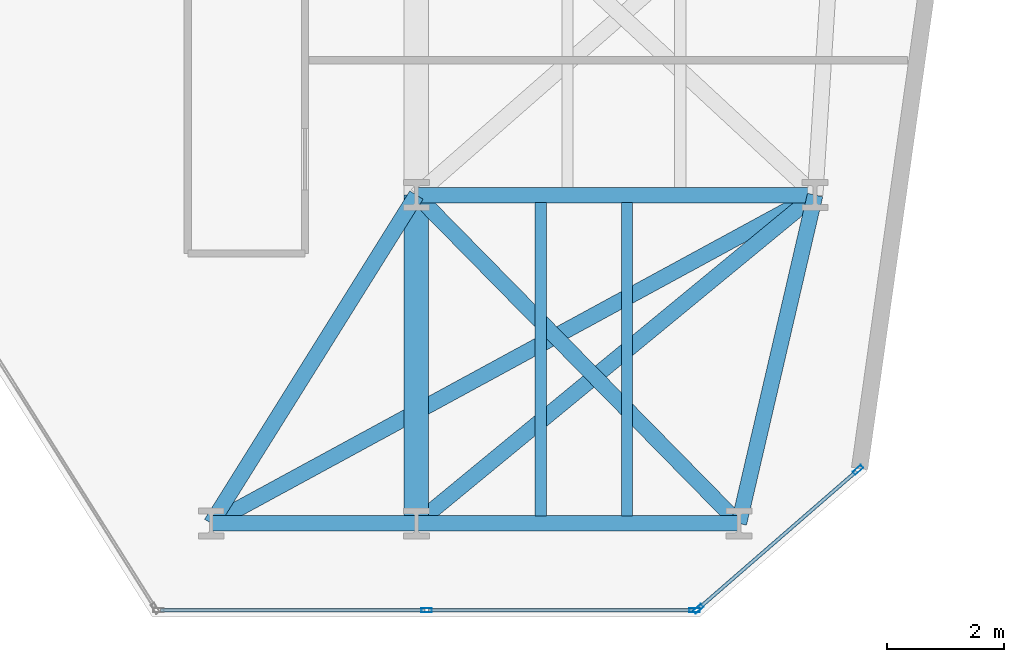
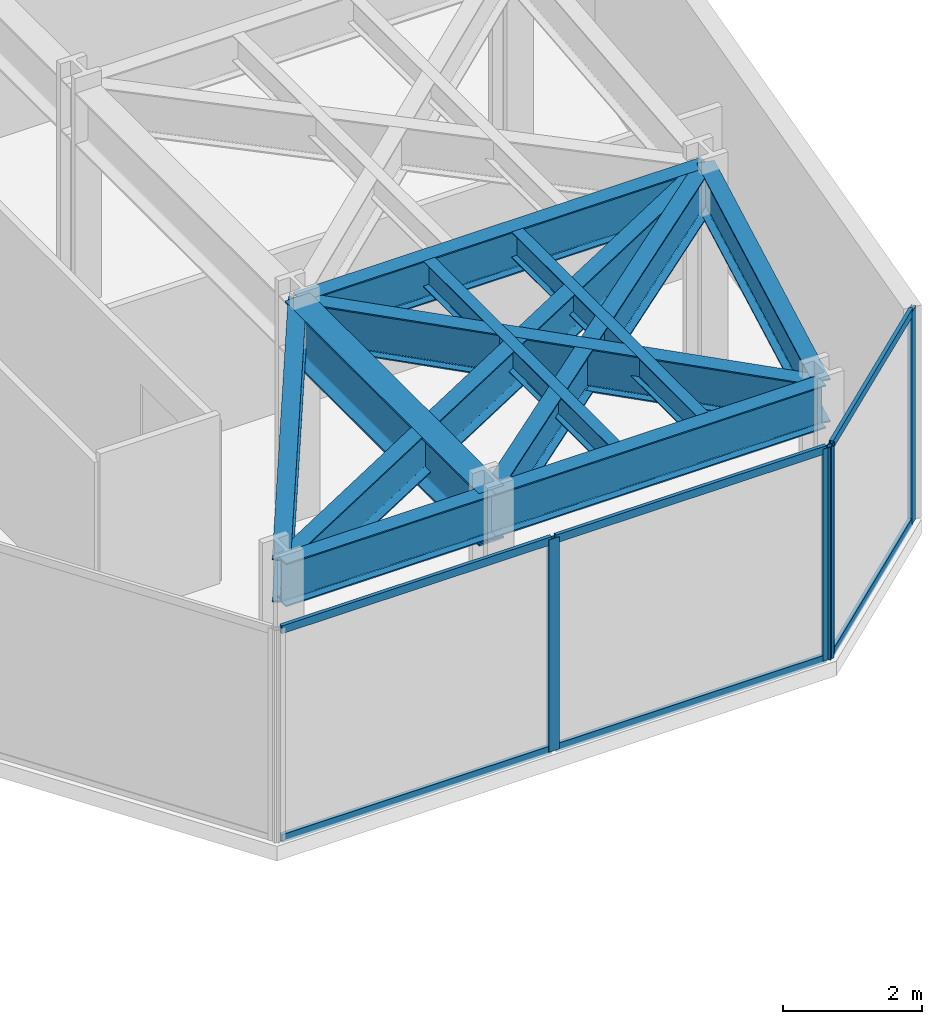
# One storey, part 13 of 24: 11 beams, 10 members, 2 elements without a shape of their own.
"""IFC4 building model written with IfcOpenShell, lengths in metres."""

import ifcopenshell
import ifcopenshell.guid

model = None  # the IFC model being written
_history = None  # IfcOwnerHistory: only IFC2X3 demands one
_inside = {}  # id of a spatial element -> (the spatial element, [elements in it])
_under = {}  # id of a project, library or spatial element -> (it, [spatial elements below it])
_declared = {}  # id of a project -> (the project, [libraries it declares])
_typed = {}  # id of a type object -> (the type object, [elements of that type])
_made_of = {}  # id of a material, layer set ... -> (it, [elements and type objects made of it])


def new_model(schema):
    """Start an empty IFC model of exactly this schema.

    Asked for "IFC4X3", IfcOpenShell would pick the latest addendum, in which some entities
    have other attributes; the version numbers below select the first issue.
    IFC2X3 requires an IfcOwnerHistory on every rooted entity: one is made here for all.
    """
    global model, _history
    if schema == "IFC4X3":
        model = ifcopenshell.file(schema_version=(4, 3, 0, 0))
    else:
        model = ifcopenshell.file(schema=schema)
    _inside.clear()
    _under.clear()
    _declared.clear()
    _typed.clear()
    _made_of.clear()
    _history = None
    if model.schema == "IFC2X3":
        org = make("IfcOrganization", Name="unknown")
        user = make(
            "IfcPersonAndOrganization",
            ThePerson=make("IfcPerson", FamilyName="unknown"),
            TheOrganization=org,
        )
        app = make(
            "IfcApplication",
            ApplicationDeveloper=org,
            Version="unknown",
            ApplicationFullName="unknown",
            ApplicationIdentifier="unknown",
        )
        _history = make(
            "IfcOwnerHistory",
            OwningUser=user,
            OwningApplication=app,
            ChangeAction="ADDED",
            CreationDate=0,
        )
    return model


def make(cls, **values):
    """One entity of the class cls with the attributes given. An attribute that is None is left unset."""
    return model.create_entity(
        cls, **{name: value for name, value in values.items() if value is not None}
    )


def rooted(cls, **values):
    """An entity with a GlobalId (a new one), such as an element, a storey or a relation."""
    return make(cls, GlobalId=ifcopenshell.guid.new(), OwnerHistory=_history, **values)


def si_unit(unit_type, name, prefix=None):
    """IfcSIUnit, for example si_unit("LENGTHUNIT", "METRE", prefix="MILLI")."""
    return make("IfcSIUnit", UnitType=unit_type, Prefix=prefix, Name=name)


def assignment(units):
    """IfcUnitAssignment: the units of a project."""
    return None if units is None else make("IfcUnitAssignment", Units=units)


def point(xyz):
    """IfcCartesianPoint."""
    return None if xyz is None else make("IfcCartesianPoint", Coordinates=xyz)


def direction(xyz):
    """IfcDirection."""
    return None if xyz is None else make("IfcDirection", DirectionRatios=xyz)


def frame(location, z_axis=None, x_axis=None):
    """IfcAxis2Placement3D, a coordinate frame: its origin and axes. An axis left out is left unset."""
    return make(
        "IfcAxis2Placement3D",
        Location=point(location),
        Axis=direction(z_axis),
        RefDirection=direction(x_axis),
    )


def frame_2d(location, x_axis=None):
    """IfcAxis2Placement2D, a coordinate frame in the plane: its origin and x axis."""
    return make(
        "IfcAxis2Placement2D", Location=point(location), RefDirection=direction(x_axis)
    )


def origin():
    """The frame at (0, 0, 0) with its axes left unset."""
    return frame((0.0, 0.0, 0.0))


def origin_2d():
    """The frame at (0, 0) in the plane with its x axis left unset."""
    return frame_2d((0.0, 0.0))


def place(relative_to, where):
    """IfcLocalPlacement: puts the frame where relative to a parent placement (None: the world)."""
    return make(
        "IfcLocalPlacement", PlacementRelTo=relative_to, RelativePlacement=where
    )


def context(
    kind, dimensions, precision=None, world=None, true_north=None, identifier=None
):
    """IfcGeometricRepresentationContext, for example the 3D "Model" context."""
    return make(
        "IfcGeometricRepresentationContext",
        ContextIdentifier=identifier,
        ContextType=kind,
        CoordinateSpaceDimension=dimensions,
        Precision=precision,
        WorldCoordinateSystem=world,
        TrueNorth=true_north,
    )


def subcontext(parent, identifier, kind, view, scale=None):
    """IfcGeometricRepresentationSubContext, for example "Body" below "Model"."""
    return make(
        "IfcGeometricRepresentationSubContext",
        ContextIdentifier=identifier,
        ContextType=kind,
        ParentContext=parent,
        TargetScale=scale,
        TargetView=view,
    )


def project(units=None, contexts=None):
    """IfcProject with its units and contexts."""
    return rooted(
        "IfcProject",
        Name="project",
        RepresentationContexts=contexts,
        UnitsInContext=assignment(units),
    )


def spatial(cls, under=None, at=None, **own):
    """A site, building, storey or space (cls), placed at a placement, below another one or the project."""
    s = rooted(cls, ObjectPlacement=at, **own)
    if under is not None:
        _under.setdefault(under.id(), (under, []))[1].append(s)
    return s


def profile(cls, at=None, kind="AREA", **sizes):
    """A parametric profile (cls). Its sizes go by their IFC names, for example OverallWidth=200.0."""
    return make(cls, ProfileType=kind, Position=at, **sizes)


def hollow_rectangle(**sizes):
    """IfcRectangleHollowProfileDef."""
    return profile("IfcRectangleHollowProfileDef", **sizes)


def i_section(**sizes):
    """IfcIShapeProfileDef."""
    return profile("IfcIShapeProfileDef", **sizes)


def extrude(swept, where, along, depth):
    """IfcExtrudedAreaSolid: the profile swept, set in the frame where, extruded along a direction by depth."""
    return make(
        "IfcExtrudedAreaSolid",
        SweptArea=swept,
        Position=where,
        ExtrudedDirection=direction(along),
        Depth=depth,
    )


def shape(context_of_items, identifier, shape_type, items):
    """IfcShapeRepresentation: the items that make up one representation, for example the "Body"."""
    return make(
        "IfcShapeRepresentation",
        ContextOfItems=context_of_items,
        RepresentationIdentifier=identifier,
        RepresentationType=shape_type,
        Items=items,
    )


def material(Name=None, Category=None):
    """IfcMaterial."""
    return make("IfcMaterial", Name=Name, Category=Category)


def layer(
    of_material, thickness, ventilated=None, Name=None, Category=None, Priority=None
):
    """IfcMaterialLayer: one layer of a wall or slab, of a material (None: an air gap)."""
    return make(
        "IfcMaterialLayer",
        Material=of_material,
        LayerThickness=thickness,
        IsVentilated=ventilated,
        Name=Name,
        Category=Category,
        Priority=Priority,
    )


def layer_set(layers, Name=None):
    """IfcMaterialLayerSet."""
    return make("IfcMaterialLayerSet", MaterialLayers=layers, LayerSetName=Name)


def material_profile(
    of_material, cross_section, Name=None, Category=None, Priority=None
):
    """IfcMaterialProfile: a cross section and its material."""
    return make(
        "IfcMaterialProfile",
        Name=Name,
        Material=of_material,
        Profile=cross_section,
        Priority=Priority,
        Category=Category,
    )


def profile_set(profiles, Name=None, composite=None):
    """IfcMaterialProfileSet."""
    return make(
        "IfcMaterialProfileSet",
        Name=Name,
        MaterialProfiles=profiles,
        CompositeProfile=composite,
    )


def made_of(thing, what):
    """Note that an element or type object is made of a material, layer set ...; save() writes the relation."""
    if what is not None:
        _made_of.setdefault(what.id(), (what, []))[1].append(thing)
    return thing


def type_object(cls, material=None, **own):
    """A type object (cls), such as IfcWallType, which elements share."""
    return made_of(rooted(cls, **own), material)


def element(
    cls,
    number,
    at=None,
    inside=None,
    cuts=None,
    type_object=None,
    material=None,
    context=None,
    identifier="Body",
    shape_type=None,
    held_by="IfcProductDefinitionShape",
    body=None,
    shapes=None,
    **own,
):
    """One element of the class cls, such as IfcWall. Its Tag is "e" and its number.

    at: its placement. inside: the storey or other place that contains it. cuts: it is an
    opening in that element (IfcRelVoidsElement). A single representation is given by context,
    identifier, shape_type and body (its items); several are given by shapes. held_by: the class
    of the entity that holds the representations. save() writes the other relations.
    """
    e = rooted(cls, Tag="e%d" % number, ObjectPlacement=at, **own)
    if body is not None:
        shapes = [shape(context, identifier, shape_type, body)]
    if shapes is not None:
        e.Representation = make(held_by, Representations=shapes)
    if inside is not None:
        _inside.setdefault(inside.id(), (inside, []))[1].append(e)
    if cuts is not None:
        rooted(
            "IfcRelVoidsElement", RelatingBuildingElement=cuts, RelatedOpeningElement=e
        )
    if type_object is not None:
        _typed.setdefault(type_object.id(), (type_object, []))[1].append(e)
    return made_of(e, material)


def aggregate(whole, parts):
    """IfcRelAggregates: a whole, such as a stair, and the parts it consists of."""
    return rooted("IfcRelAggregates", RelatingObject=whole, RelatedObjects=parts)


def save(model, path):
    """Write the relations noted so far, then the file.

    IfcRelAggregates (storeys below a building ...), IfcRelContainedInSpatialStructure (elements
    in a storey), IfcRelDefinesByType, IfcRelAssociatesMaterial and IfcRelDeclares: one each for
    every whole, place, type object, material and project.
    """
    for whole, parts in _under.values():
        aggregate(whole, parts)
    for where, things in _inside.values():
        rooted(
            "IfcRelContainedInSpatialStructure",
            RelatedElements=things,
            RelatingStructure=where,
        )
    for kind, things in _typed.values():
        rooted("IfcRelDefinesByType", RelatedObjects=things, RelatingType=kind)
    for what, things in _made_of.values():
        rooted("IfcRelAssociatesMaterial", RelatedObjects=things, RelatingMaterial=what)
    for by, libraries in _declared.values():
        rooted("IfcRelDeclares", RelatingContext=by, RelatedDefinitions=libraries)
    model.write(path)


model = new_model("IFC4")

# Units and contexts
model_context = context("Model", 3, precision=1e-05, world=origin(), true_north=direction((0.0, 1.0)))
body_context = subcontext(model_context, "Body", "Model", "MODEL_VIEW")
ifc_project = project(units=[si_unit("LENGTHUNIT", "METRE"), si_unit("AREAUNIT", "SQUARE_METRE"), si_unit("VOLUMEUNIT", "CUBIC_METRE"), si_unit("PLANEANGLEUNIT", "RADIAN"), si_unit("MASSUNIT", "GRAM", prefix="KILO")], contexts=[model_context])

# Site, building, storey
site_placement = place(None, origin())
site = spatial("IfcSite", under=ifc_project, at=site_placement, CompositionType="ELEMENT")
building_placement = place(site_placement, origin())
building = spatial("IfcBuilding", under=site, at=building_placement, Name="Kravanh Interchange Tower", CompositionType="ELEMENT")
storey_placement = place(building_placement, frame((0.0, 0.0, 37.5)))
storey = spatial("IfcBuildingStorey", under=building, at=storey_placement, Name="L08", CompositionType="ELEMENT", Elevation=37.5)

# Curtain wall, members
ifc_material_1 = material(Name="Anodised Bronze Aluminium", Category="aluminium")
ifc_layer = layer(ifc_material_1, 0.179931640625)
ifc_layer_set = layer_set([ifc_layer], Name="Unitised Curtain Wall System CW-Z1 Lower Office")
curtain_wall_type = type_object("IfcCurtainWallType", Name="Unitised Curtain Wall System CW-Z1 Lower Office", PredefinedType="NOTDEFINED", material=ifc_layer_set)
curtain_wall_1_placement = place(storey_placement, origin())
curtain_wall_1 = element("IfcCurtainWall", 1, at=curtain_wall_1_placement, inside=storey, type_object=curtain_wall_type, Name="L08 Unitised Curtain Wall CW-L08-02", PredefinedType="NOTDEFINED")
ifc_material_2 = material(Name="Anodised Bronze Aluminium", Category="aluminium")
ifc_material_profile_1 = material_profile(ifc_material_2, hollow_rectangle(XDim=0.070068359375, YDim=0.179931640625, WallThickness=0.00390625, at=origin_2d()), Name="ALU70X180X4")
ifc_profile_set_1 = profile_set([ifc_material_profile_1], Name="Anodised Bronze Aluminium")
member_type_1 = type_object("IfcMemberType", Name="Curtain Wall Mullion ALU70X180X4 Bronze", PredefinedType="MULLION", material=ifc_profile_set_1)
member_1_placement = place(storey_placement, frame((63.533203125, 3.513916015625, 0.0), z_axis=(0.0, 0.0, 1.0), x_axis=(0.656060422341, -0.754708368999, 0.0)))
member_1 = element("IfcMember", 2, at=member_1_placement, type_object=member_type_1, Name="CW-Z1 mullion 1", PredefinedType="MULLION", context=body_context, shape_type="SweptSolid", body=[
    extrude(hollow_rectangle(XDim=0.070068359375, YDim=0.179931640625, WallThickness=0.00390625, at=origin_2d()), origin(), (0.0, 0.0, 1.0), 3.739990234375),
])
member_2_placement = place(storey_placement, frame((60.805908203125, 1.14306640625, 0.0), z_axis=(0.0, 0.0, 1.0), x_axis=(0.656060422341, -0.754708368999, 0.0)))
member_2 = element("IfcMember", 3, at=member_2_placement, type_object=member_type_1, Name="CW-Z1 mullion 2", PredefinedType="MULLION", context=body_context, shape_type="SweptSolid", body=[
    extrude(hollow_rectangle(XDim=0.070068359375, YDim=0.179931640625, WallThickness=0.00390625, at=origin_2d()), origin(), (0.0, 0.0, 1.0), 3.739990234375),
])

curtain_wall_2_placement = place(storey_placement, origin())
curtain_wall_2 = element("IfcCurtainWall", 4, at=curtain_wall_2_placement, inside=storey, type_object=curtain_wall_type, Name="L08 Unitised Curtain Wall CW-L08-03", PredefinedType="NOTDEFINED")
member_3_placement = place(storey_placement, frame((60.744384765625, 1.1201171875, 0.0), z_axis=(0.0, 0.0, 1.0), x_axis=(0.0, -1.0, 0.0)))
member_3 = element("IfcMember", 5, at=member_3_placement, type_object=member_type_1, Name="CW-Z1 mullion 1", PredefinedType="MULLION", context=body_context, shape_type="SweptSolid", body=[
    extrude(hollow_rectangle(XDim=0.070068359375, YDim=0.179931640625, WallThickness=0.00390625, at=origin_2d()), origin(), (0.0, 0.0, 1.0), 3.739990234375),
])
member_4_placement = place(storey_placement, frame((56.1728515625, 1.1201171875, 0.0), z_axis=(0.0, 0.0, 1.0), x_axis=(0.0, -1.0, 0.0)))
member_4 = element("IfcMember", 6, at=member_4_placement, type_object=member_type_1, Name="CW-Z1 mullion 2", PredefinedType="MULLION", context=body_context, shape_type="SweptSolid", body=[
    extrude(hollow_rectangle(XDim=0.070068359375, YDim=0.179931640625, WallThickness=0.00390625, at=origin_2d()), origin(), (0.0, 0.0, 1.0), 3.739990234375),
])

# Member
ifc_material_3 = material(Name="Anodised Bronze Aluminium", Category="aluminium")
ifc_material_profile_2 = material_profile(ifc_material_3, hollow_rectangle(XDim=0.06005859375, YDim=0.139892578125, WallThickness=0.00390625, at=origin_2d()), Name="ALU60X140X4")
ifc_profile_set_2 = profile_set([ifc_material_profile_2], Name="Anodised Bronze Aluminium")
member_type_2 = type_object("IfcMemberType", Name="Curtain Wall Transom ALU60X140X4 Bronze", PredefinedType="USERDEFINED", material=ifc_profile_set_2)
member_5_placement = place(storey_placement, frame((63.5068359375, 3.490966796875, 0.030029296875), z_axis=(-0.754710815466, -0.656057608004, 0.0), x_axis=(0.656057608004, -0.754710815466, 0.0)))
member_5 = element("IfcMember", 7, at=member_5_placement, type_object=member_type_2, Name="CW-Z1 transom 1.1", ObjectType="TRANSOM", PredefinedType="USERDEFINED", context=body_context, shape_type="SweptSolid", body=[
    extrude(hollow_rectangle(XDim=0.06005859375, YDim=0.139892578125, WallThickness=0.00390625, at=origin_2d()), origin(), (0.0, 0.0, 1.0), 3.543701171875),
])

member_6_placement = place(storey_placement, frame((63.5068359375, 3.490966796875, 3.7099609375), z_axis=(-0.754710815466, -0.656057608004, 0.0), x_axis=(0.656057608004, -0.754710815466, 0.0)))
member_6 = element("IfcMember", 8, at=member_6_placement, type_object=member_type_2, Name="CW-Z1 transom 1.2", ObjectType="TRANSOM", PredefinedType="USERDEFINED", context=body_context, shape_type="SweptSolid", body=[
    extrude(hollow_rectangle(XDim=0.06005859375, YDim=0.139892578125, WallThickness=0.00390625, at=origin_2d()), origin(), (0.0, 0.0, 1.0), 3.543701171875),
])

aggregate(curtain_wall_1, [member_1, member_2, member_5, member_6])

member_7_placement = place(storey_placement, frame((60.70947265625, 1.1201171875, 0.030029296875), z_axis=(-1.0, 0.0, 0.0), x_axis=(0.0, -1.0, 0.0)))
member_7 = element("IfcMember", 9, at=member_7_placement, type_object=member_type_2, Name="CW-Z1 transom 1.1", ObjectType="TRANSOM", PredefinedType="USERDEFINED", context=body_context, shape_type="SweptSolid", body=[
    extrude(hollow_rectangle(XDim=0.06005859375, YDim=0.139892578125, WallThickness=0.00390625, at=origin_2d()), origin(), (0.0, 0.0, 1.0), 4.501708984375),
])

member_8_placement = place(storey_placement, frame((60.70947265625, 1.1201171875, 3.7099609375), z_axis=(-1.0, 0.0, 0.0), x_axis=(0.0, -1.0, 0.0)))
member_8 = element("IfcMember", 10, at=member_8_placement, type_object=member_type_2, Name="CW-Z1 transom 1.2", ObjectType="TRANSOM", PredefinedType="USERDEFINED", context=body_context, shape_type="SweptSolid", body=[
    extrude(hollow_rectangle(XDim=0.06005859375, YDim=0.139892578125, WallThickness=0.00390625, at=origin_2d()), origin(), (0.0, 0.0, 1.0), 4.501708984375),
])

member_9_placement = place(storey_placement, frame((56.1376953125, 1.1201171875, 0.030029296875), z_axis=(-1.0, 0.0, 0.0), x_axis=(0.0, -1.0, 0.0)))
member_9 = element("IfcMember", 11, at=member_9_placement, type_object=member_type_2, Name="CW-Z1 transom 2.1", ObjectType="TRANSOM", PredefinedType="USERDEFINED", context=body_context, shape_type="SweptSolid", body=[
    extrude(hollow_rectangle(XDim=0.06005859375, YDim=0.139892578125, WallThickness=0.00390625, at=origin_2d()), origin(), (0.0, 0.0, 1.0), 4.50146484375),
])

member_10_placement = place(storey_placement, frame((56.1376953125, 1.1201171875, 3.7099609375), z_axis=(-1.0, 0.0, 0.0), x_axis=(0.0, -1.0, 0.0)))
member_10 = element("IfcMember", 12, at=member_10_placement, type_object=member_type_2, Name="CW-Z1 transom 2.2", ObjectType="TRANSOM", PredefinedType="USERDEFINED", context=body_context, shape_type="SweptSolid", body=[
    extrude(hollow_rectangle(XDim=0.06005859375, YDim=0.139892578125, WallThickness=0.00390625, at=origin_2d()), origin(), (0.0, 0.0, 1.0), 4.50146484375),
])

aggregate(curtain_wall_2, [member_3, member_4, member_7, member_8, member_9, member_10])

# Beams
ifc_material_4 = material(Name="Structural Steel S355", Category="steel")
ifc_material_profile_3 = material_profile(ifc_material_4, i_section(OverallWidth=0.41796875, OverallDepth=0.927001953125, WebThickness=0.019287109375, FlangeThickness=0.031982421875, FilletRadius=0.028076171875, at=origin_2d()), Name="W36X231")
ifc_profile_set_3 = profile_set([ifc_material_profile_3], Name="Structural Steel S355")
beam_type_1 = type_object("IfcBeamType", Name="Floor Beam W36X231 Structural Steel S355", PredefinedType="BEAM", material=ifc_profile_set_3)
beam_1_placement = place(storey_placement, frame((56.0, 2.60009765625, 3.276611328125), z_axis=(0.0, 1.0, 0.0), x_axis=(-1.0, 0.0, 0.0)))
element("IfcBeam", 13, at=beam_1_placement, inside=storey, type_object=beam_type_1, Name="L08 Primary Floor Girder 129", PredefinedType="BEAM", context=body_context, shape_type="SweptSolid", body=[
    extrude(i_section(OverallWidth=0.41796875, OverallDepth=0.927001953125, WebThickness=0.019287109375, FlangeThickness=0.031982421875, FilletRadius=0.028076171875, at=origin_2d()), origin(), (0.0, 0.0, 1.0), 5.599853515625),
])
ifc_material_5 = material(Name="Structural Steel S355", Category="steel")
ifc_material_profile_4 = material_profile(ifc_material_5, i_section(OverallWidth=0.18994140625, OverallDepth=0.45703125, WebThickness=0.009033203125, FlangeThickness=0.014404296875, FilletRadius=0.01806640625, at=origin_2d()), Name="W18X50")
ifc_profile_set_4 = profile_set([ifc_material_profile_4], Name="Structural Steel S355")
beam_type_2 = type_object("IfcBeamType", Name="Floor Joist W18X50 Structural Steel S355", PredefinedType="JOIST", material=ifc_profile_set_4)
for number, where, z_axis, x_axis, name in (
    (14, (58.1201171875, 2.728515625, 3.511474609375), (0.0, 1.0, 0.0), (-1.0, 0.0, 0.0), "L08 Secondary Floor Joist 5"),
    (15, (59.590087890625, 2.728515625, 3.511474609375), (0.0, 1.0, 0.0), (-1.0, 0.0, 0.0), "L08 Secondary Floor Joist 6"),
):
    element("IfcBeam", number, at=place(storey_placement, frame(where, z_axis=z_axis, x_axis=x_axis)), inside=storey, type_object=beam_type_2, Name=name, PredefinedType="JOIST", context=body_context, shape_type="SweptSolid", body=[
        extrude(i_section(OverallWidth=0.18994140625, OverallDepth=0.45703125, WebThickness=0.009033203125, FlangeThickness=0.014404296875, FilletRadius=0.01806640625, at=origin_2d()), origin(), (0.0, 0.0, 1.0), 5.343017578125),
    ])
ifc_material_6 = material(Name="Structural Steel S355", Category="steel")
ifc_material_profile_5 = material_profile(ifc_material_6, i_section(OverallWidth=0.26708984375, OverallDepth=0.761962890625, WebThickness=0.014404296875, FlangeThickness=0.021484375, FilletRadius=0.02490234375, at=origin_2d()), Name="W30X116")
ifc_profile_set_5 = profile_set([ifc_material_profile_5], Name="Structural Steel S355")
beam_type_3 = type_object("IfcBeamType", Name="Floor Spandrel W30X116 Structural Steel S355", PredefinedType="SPANDREL", material=ifc_profile_set_5)
beam_2_placement = place(storey_placement, frame((52.5, 2.60009765625, 3.35888671875), z_axis=(1.0, 0.0, 0.0), x_axis=(0.0, 1.0, 0.0)))
element("IfcBeam", 16, at=beam_2_placement, inside=storey, type_object=beam_type_3, Name="L08 Perimeter Spandrel 125", PredefinedType="SPANDREL", context=body_context, shape_type="SweptSolid", body=[
    extrude(i_section(OverallWidth=0.26708984375, OverallDepth=0.761962890625, WebThickness=0.014404296875, FlangeThickness=0.021484375, FilletRadius=0.02490234375, at=origin_2d()), origin(), (0.0, 0.0, 1.0), 3.5),
])
beam_3_placement = place(storey_placement, frame((52.5, 2.60009765625, 3.35888671875), z_axis=(0.530008909536, 0.847992072965, 0.0), x_axis=(-0.847992072965, 0.530008909536, 0.0)))
element("IfcBeam", 17, at=beam_3_placement, inside=storey, type_object=beam_type_3, Name="L08 Perimeter Spandrel 126", PredefinedType="SPANDREL", context=body_context, shape_type="SweptSolid", body=[
    extrude(i_section(OverallWidth=0.26708984375, OverallDepth=0.761962890625, WebThickness=0.014404296875, FlangeThickness=0.021484375, FilletRadius=0.02490234375, at=origin_2d()), origin(), (0.0, 0.0, 1.0), 6.603759765625),
])
beam_4_placement = place(storey_placement, frame((52.5, 2.60009765625, 3.35888671875), z_axis=(0.878552895081, 0.47764506754, 0.0), x_axis=(-0.47764506754, 0.878552895081, 0.0)))
element("IfcBeam", 18, at=beam_4_placement, inside=storey, type_object=beam_type_3, Name="L08 Perimeter Spandrel 127", PredefinedType="SPANDREL", context=body_context, shape_type="SweptSolid", body=[
    extrude(i_section(OverallWidth=0.26708984375, OverallDepth=0.761962890625, WebThickness=0.014404296875, FlangeThickness=0.021484375, FilletRadius=0.02490234375, at=origin_2d()), origin(), (0.0, 0.0, 1.0), 11.723876953125),
])
beam_5_placement = place(storey_placement, frame((56.0, 2.60009765625, 3.35888671875), z_axis=(1.0, 0.0, 0.0), x_axis=(0.0, 1.0, 0.0)))
element("IfcBeam", 19, at=beam_5_placement, inside=storey, type_object=beam_type_3, Name="L08 Perimeter Spandrel 128", PredefinedType="SPANDREL", context=body_context, shape_type="SweptSolid", body=[
    extrude(i_section(OverallWidth=0.26708984375, OverallDepth=0.761962890625, WebThickness=0.014404296875, FlangeThickness=0.021484375, FilletRadius=0.02490234375, at=origin_2d()), origin(), (0.0, 0.0, 1.0), 5.5),
])
beam_6_placement = place(storey_placement, frame((56.0, 2.60009765625, 3.35888671875), z_axis=(0.771940635711, 0.635694623965, 0.0), x_axis=(-0.635694623965, 0.771940635711, 0.0)))
element("IfcBeam", 20, at=beam_6_placement, inside=storey, type_object=beam_type_3, Name="L08 Perimeter Spandrel 130", PredefinedType="SPANDREL", context=body_context, shape_type="SweptSolid", body=[
    extrude(i_section(OverallWidth=0.26708984375, OverallDepth=0.761962890625, WebThickness=0.014404296875, FlangeThickness=0.021484375, FilletRadius=0.02490234375, at=origin_2d()), origin(), (0.0, 0.0, 1.0), 8.80908203125),
])
beam_7_placement = place(storey_placement, frame((61.5, 2.60009765625, 3.35888671875), z_axis=(0.226143379252, 0.974094026273, 0.0), x_axis=(-0.974094026273, 0.226143379252, 0.0)))
element("IfcBeam", 21, at=beam_7_placement, inside=storey, type_object=beam_type_3, Name="L08 Perimeter Spandrel 131", PredefinedType="SPANDREL", context=body_context, shape_type="SweptSolid", body=[
    extrude(i_section(OverallWidth=0.26708984375, OverallDepth=0.761962890625, WebThickness=0.014404296875, FlangeThickness=0.021484375, FilletRadius=0.02490234375, at=origin_2d()), origin(), (0.0, 0.0, 1.0), 5.748779296875),
])
beam_8_placement = place(storey_placement, frame((61.5, 2.60009765625, 3.35888671875), z_axis=(-0.700717344595, 0.71343899738, 0.0), x_axis=(-0.71343899738, -0.700717344595, 0.0)))
element("IfcBeam", 22, at=beam_8_placement, inside=storey, type_object=beam_type_3, Name="L08 Perimeter Spandrel 132", PredefinedType="SPANDREL", context=body_context, shape_type="SweptSolid", body=[
    extrude(i_section(OverallWidth=0.26708984375, OverallDepth=0.761962890625, WebThickness=0.014404296875, FlangeThickness=0.021484375, FilletRadius=0.02490234375, at=origin_2d()), origin(), (0.0, 0.0, 1.0), 7.84912109375),
])
beam_9_placement = place(storey_placement, frame((56.0, 8.199951171875, 3.35888671875), z_axis=(1.0, 0.0, 0.0), x_axis=(0.0, 1.0, 0.0)))
element("IfcBeam", 23, at=beam_9_placement, inside=storey, type_object=beam_type_3, Name="L08 Perimeter Spandrel 142", PredefinedType="SPANDREL", context=body_context, shape_type="SweptSolid", body=[
    extrude(i_section(OverallWidth=0.26708984375, OverallDepth=0.761962890625, WebThickness=0.014404296875, FlangeThickness=0.021484375, FilletRadius=0.02490234375, at=origin_2d()), origin(), (0.0, 0.0, 1.0), 6.800048828125),
])

save(model, "model.ifc")
